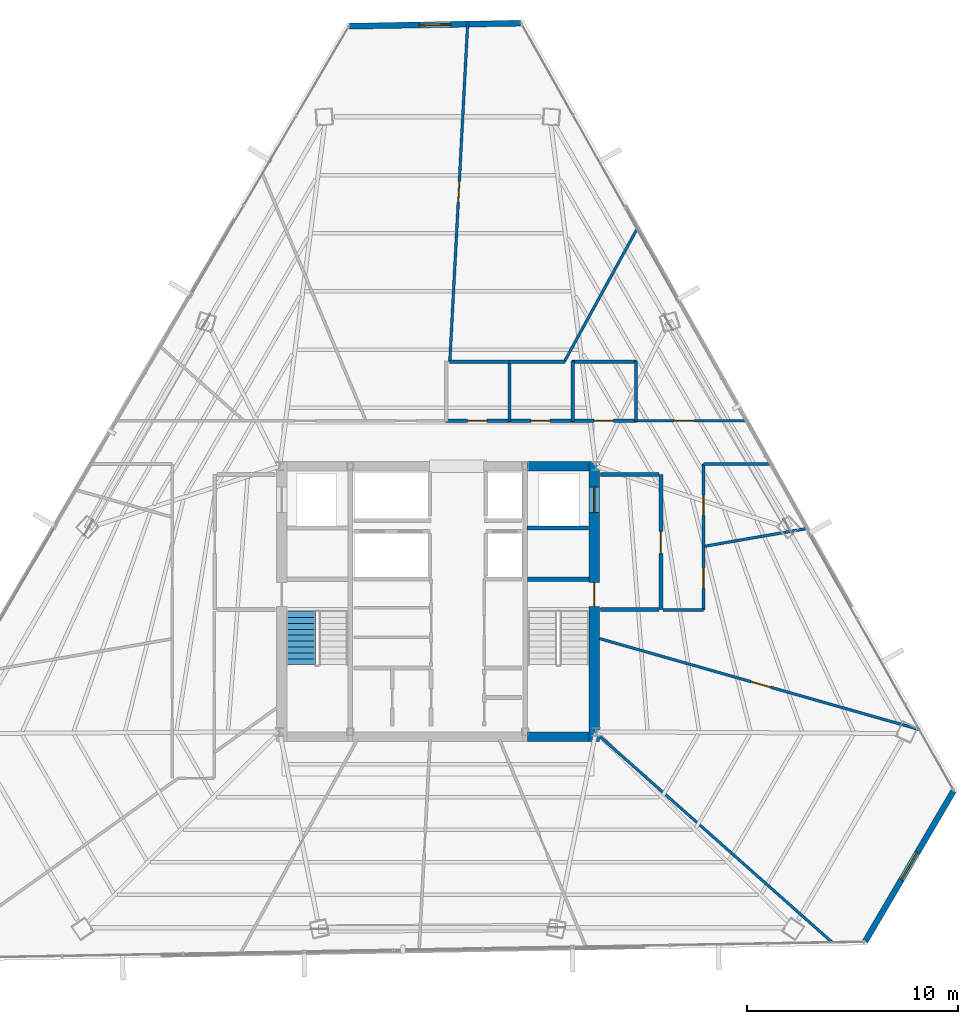
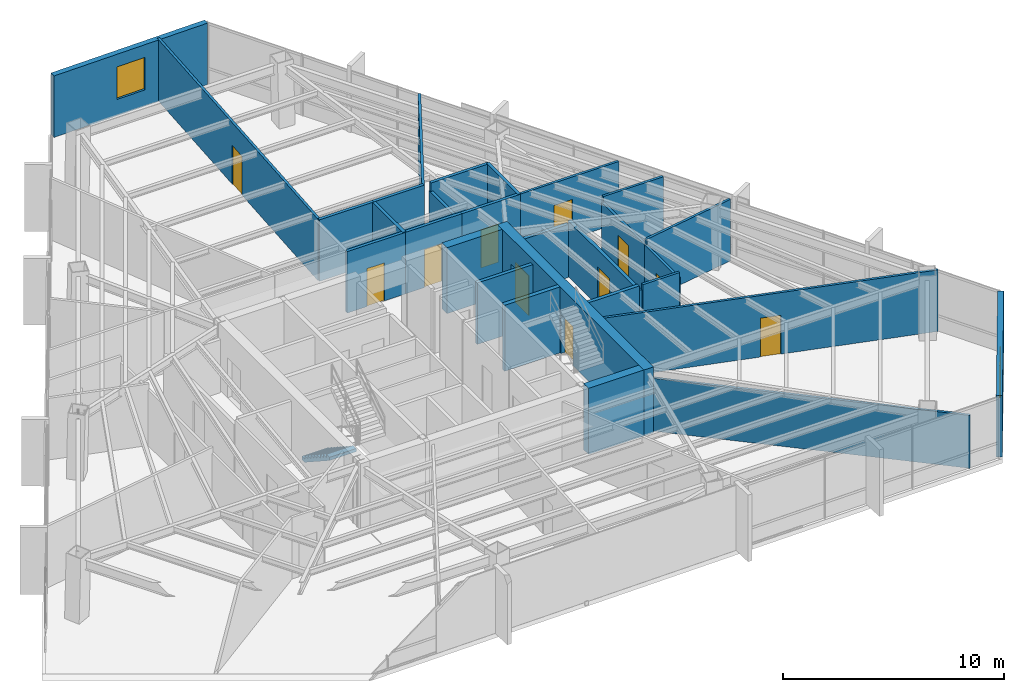
# One storey, part 37 of 42: 29 walls, 11 doors, 2 windows, 1 stair flight, 13 openings, 1 element without a shape of its own.
"""IFC4 building model written with IfcOpenShell, lengths in metres."""

from ifc_helpers import new_model, si_unit, direction, frame, frame_2d, origin, place, context, subcontext, project, spatial, polyline, rectangle, outline, extrude, material, layer, layer_set, type_object, element, fill, aggregate, save


model = new_model("IFC4")

# Units and contexts
model_context = context("Model", 3, precision=1e-05, world=origin(), true_north=direction((0.0, 1.0)))
body_context = subcontext(model_context, "Body", "Model", "MODEL_VIEW")
ifc_project = project(units=[si_unit("LENGTHUNIT", "METRE"), si_unit("AREAUNIT", "SQUARE_METRE"), si_unit("VOLUMEUNIT", "CUBIC_METRE"), si_unit("PLANEANGLEUNIT", "RADIAN"), si_unit("MASSUNIT", "GRAM", prefix="KILO")], contexts=[model_context])

# Site, building, storey
site_placement = place(None, origin())
site = spatial("IfcSite", under=ifc_project, at=site_placement, CompositionType="ELEMENT")
building_placement = place(site_placement, origin())
building = spatial("IfcBuilding", under=site, at=building_placement, Name="Caelisora Broadcast Tower", CompositionType="ELEMENT")
storey_placement = place(building_placement, frame((0.0, 0.0, 191.35009765625)))
storey = spatial("IfcBuildingStorey", under=building, at=storey_placement, Name="L50", CompositionType="ELEMENT", Elevation=191.35009765625)

# Wall, openings, doors
ifc_material_1 = material(Name="Concrete 50 MPa (AS 3600 S50)", Category="concrete")
ifc_layer_1 = layer(ifc_material_1, 0.5, Name="Concrete 50 MPa (AS 3600 S50)")
ifc_layer_set_1 = layer_set([ifc_layer_1], Name="Concrete 50 MPa (AS 3600 S50)")
wall_type_1 = type_object("IfcWallType", Name="CW2", PredefinedType="SHEAR", material=ifc_layer_set_1)
wall_1_placement = place(storey_placement, frame((45.409912109375, 16.949951171875, 0.0), z_axis=(0.0, 0.0, 1.0), x_axis=(0.0, 1.0, 0.0)))
wall_1 = element("IfcWall", 1, at=wall_1_placement, inside=storey, type_object=wall_type_1, Name="L50 core shear wall CW2", PredefinedType="SHEAR", context=body_context, shape_type="SweptSolid", body=[
    extrude(rectangle(XDim=13.275146484375, YDim=0.5, at=frame_2d((6.6376953125, 0.0))), origin(), (0.0, 0.0, 1.0), 3.64990234375),
])
opening_1_placement = place(wall_1_placement, frame((6.39990234375, 0.0, 0.0)))
opening_1 = element("IfcOpeningElement", 2, at=opening_1_placement, cuts=wall_1, Name="Opening FD04", PredefinedType="OPENING", context=body_context, shape_type="SweptSolid", body=[
    extrude(rectangle(XDim=1.1201171875, YDim=2.14990234375, at=frame_2d((0.56005859375, 1.074951171875))), frame((0.0, 0.261962890625, 0.0), z_axis=(0.0, -1.0, 0.0), x_axis=(1.0, 0.0, 0.0)), (0.0, 0.0, 1.0), 0.52392578125),
])
opening_2_placement = place(wall_1_placement, frame((10.85009765625, 0.0, 0.0)))
opening_2 = element("IfcOpeningElement", 3, at=opening_2_placement, cuts=wall_1, Name="Opening LD04", PredefinedType="OPENING", context=body_context, shape_type="SweptSolid", body=[
    extrude(rectangle(XDim=1.199951171875, YDim=2.199951171875, at=frame_2d((0.60009765625, 1.10009765625))), frame((0.0, 0.261962890625, 0.0), z_axis=(0.0, -1.0, 0.0), x_axis=(1.0, 0.0, 0.0)), (0.0, 0.0, 1.0), 0.52392578125),
])
ifc_material_2 = material(Name="Pressurised Fire-Isolated Stair Door", Category="steel")
door_type_1 = type_object("IfcDoorType", Name="FD04", OperationType="NOTDEFINED", PredefinedType="DOOR", material=ifc_material_2)
door_1_placement = place(opening_1_placement, origin())
door_1 = element("IfcDoor", 4, at=door_1_placement, inside=storey, type_object=door_type_1, Name="L50 door FD04 (L50-DR-ST2)", OperationType="SINGLE_SWING_RIGHT", OverallHeight=2.14990234375, OverallWidth=1.1201171875, PredefinedType="DOOR", context=body_context, shape_type="SweptSolid", body=[
    extrude(rectangle(XDim=1.1201171875, YDim=2.14990234375, at=frame_2d((0.56005859375, 1.074951171875))), frame((0.0, 0.02490234375, 0.0), z_axis=(0.0, -1.0, 0.0), x_axis=(1.0, 0.0, 0.0)), (0.0, 0.0, 1.0), 0.050048828125),
])
fill(opening_1, door_1)
ifc_material_3 = material(Name="Emergency Firefighting Lift Sliding Landing Door", Category="steel")
door_type_2 = type_object("IfcDoorType", Name="LD04", OperationType="NOTDEFINED", PredefinedType="DOOR", material=ifc_material_3)
door_2_placement = place(opening_2_placement, origin())
door_2 = element("IfcDoor", 5, at=door_2_placement, inside=storey, type_object=door_type_2, Name="L50 door LD04 (L50-LD-FFL2)", OperationType="SLIDING_TO_RIGHT", OverallHeight=2.199951171875, OverallWidth=1.199951171875, PredefinedType="DOOR", context=body_context, shape_type="SweptSolid", body=[
    extrude(rectangle(XDim=1.199951171875, YDim=2.199951171875, at=frame_2d((0.60009765625, 1.10009765625))), frame((0.0, 0.02490234375, 0.0), z_axis=(0.0, -1.0, 0.0), x_axis=(1.0, 0.0, 0.0)), (0.0, 0.0, 1.0), 0.050048828125),
])
fill(opening_2, door_2)

# Walls
ifc_layer_2 = layer(ifc_material_1, 0.449951171875, Name="Concrete 50 MPa (AS 3600 S50)")
ifc_layer_set_2 = layer_set([ifc_layer_2], Name="Concrete 50 MPa (AS 3600 S50)")
wall_type_2 = type_object("IfcWallType", Name="CW5", PredefinedType="SHEAR", material=ifc_layer_set_2)
for number, where, z_axis, x_axis, name in (
    (6, (42.260009765625, 17.175048828125, 0.0), (0.0, 0.0, 1.0), (1.0, 0.0, 0.0), "L50 core shear wall CW5"),
    (7, (42.260009765625, 30.0, 0.0), (0.0, 0.0, 1.0), (1.0, 0.0, 0.0), "L50 core shear wall CW5"),
):
    element("IfcWall", number, at=place(storey_placement, frame(where, z_axis=z_axis, x_axis=x_axis)), inside=storey, type_object=wall_type_2, Name=name, PredefinedType="SHEAR", context=body_context, shape_type="SweptSolid", body=[
        extrude(rectangle(XDim=2.89990234375, YDim=0.449951171875, at=frame_2d((1.449951171875, 0.0))), origin(), (0.0, 0.0, 1.0), 3.64990234375),
    ])
ifc_layer_3 = layer(ifc_material_1, 0.219970703125, Name="Concrete 50 MPa (AS 3600 S50)")
ifc_layer_set_3 = layer_set([ifc_layer_3], Name="Concrete 50 MPa (AS 3600 S50)")
wall_type_3 = type_object("IfcWallType", Name="CW7", PredefinedType="SHEAR", material=ifc_layer_set_3)
wall_2_placement = place(storey_placement, frame((42.260009765625, 24.639892578125, 0.0), z_axis=(0.0, 0.0, 1.0), x_axis=(1.0, 0.0, 0.0)))
element("IfcWall", 8, at=wall_2_placement, inside=storey, type_object=wall_type_3, Name="L50 core shear wall CW7", PredefinedType="SHEAR", context=body_context, shape_type="SweptSolid", body=[
    extrude(rectangle(XDim=2.89990234375, YDim=0.219970703125, at=frame_2d((1.449951171875, 0.0))), origin(), (0.0, 0.0, 1.0), 3.64990234375),
])

# Wall, opening, window
ifc_material_4 = material(Name="Insulated Terracotta Spandrel Wall System", Category="masonry")
ifc_layer_4 = layer(ifc_material_4, 0.280029296875, Name="Insulated Terracotta Spandrel Wall System")
ifc_layer_set_4 = layer_set([ifc_layer_4], Name="Insulated Terracotta Spandrel Wall System")
wall_type_4 = type_object("IfcWallType", Name="EW1", PredefinedType="STANDARD", material=ifc_layer_set_4)
wall_3_placement = place(storey_placement, frame((62.455810546875, 14.589111328125, 0.0), z_axis=(0.0, 0.0, 1.0), x_axis=(-0.506361533804, -0.862321284142, 0.0)))
wall_3 = element("IfcWall", 9, at=wall_3_placement, inside=storey, type_object=wall_type_4, Name="L50 exterior envelope wall EW1", PredefinedType="STANDARD", context=body_context, shape_type="SweptSolid", body=[
    extrude(rectangle(XDim=8.263916015625, YDim=0.280029296875, at=frame_2d((4.1318359375, 0.0))), origin(), (0.0, 0.0, 1.0), 3.39990234375),
])
opening_3_placement = place(wall_3_placement, frame((3.3798828125, 0.0, 0.89990234375)))
opening_3 = element("IfcOpeningElement", 10, at=opening_3_placement, cuts=wall_3, Name="Opening W02", PredefinedType="OPENING", context=body_context, shape_type="SweptSolid", body=[
    extrude(rectangle(XDim=1.5, YDim=1.800048828125, at=frame_2d((0.75, 0.89990234375))), frame((0.0, 0.152099609375, 0.0), z_axis=(0.0, -1.0, 0.0), x_axis=(1.0, 0.0, 0.0)), (0.0, 0.0, 1.0), 0.303955078125),
])
ifc_material_5 = material(Name="Double Glazed Terracotta-Framed Vision Window", Category="glass")
window_type = type_object("IfcWindowType", Name="W02", PartitioningType="SINGLE_PANEL", PredefinedType="WINDOW", material=ifc_material_5)
window_1_placement = place(opening_3_placement, origin())
window_1 = element("IfcWindow", 11, at=window_1_placement, inside=storey, type_object=window_type, Name="L50 window W02 (L50-WN-CH0)", OverallHeight=1.800048828125, OverallWidth=1.5, PartitioningType="SINGLE_PANEL", PredefinedType="WINDOW", context=body_context, shape_type="SweptSolid", body=[
    extrude(rectangle(XDim=1.5, YDim=1.800048828125, at=frame_2d((0.75, 0.89990234375))), frame((0.0, 0.030029296875, 0.0), z_axis=(0.0, -1.0, 0.0), x_axis=(1.0, 0.0, 0.0)), (0.0, 0.0, 1.0), 0.06005859375),
])
fill(opening_3, window_1)

wall_4_placement = place(storey_placement, frame((33.81591796875, 50.863525390625, 0.0), z_axis=(0.0, 0.0, 1.0), x_axis=(0.99984663234, 0.017513189274, 0.0)))
wall_4 = element("IfcWall", 12, at=wall_4_placement, inside=storey, type_object=wall_type_4, Name="L50 exterior envelope wall EW1", PredefinedType="STANDARD", context=body_context, shape_type="SweptSolid", body=[
    extrude(rectangle(XDim=8.11328125, YDim=0.280029296875, at=frame_2d((4.056640625, 0.0))), origin(), (0.0, 0.0, 1.0), 3.39990234375),
])
opening_4_placement = place(wall_4_placement, frame((3.31005859375, 0.0, 0.89990234375)))
opening_4 = element("IfcOpeningElement", 13, at=opening_4_placement, cuts=wall_4, Name="Opening W02", PredefinedType="OPENING", context=body_context, shape_type="SweptSolid", body=[
    extrude(rectangle(XDim=1.5, YDim=1.800048828125, at=frame_2d((0.75, 0.89990234375))), frame((0.0, 0.152099609375, 0.0), z_axis=(0.0, -1.0, 0.0), x_axis=(1.0, 0.0, 0.0)), (0.0, 0.0, 1.0), 0.303955078125),
])
window_2_placement = place(opening_4_placement, origin())
window_2 = element("IfcWindow", 14, at=window_2_placement, inside=storey, type_object=window_type, Name="L50 window W02 (L50-WN-CH8)", OverallHeight=1.800048828125, OverallWidth=1.5, PartitioningType="SINGLE_PANEL", PredefinedType="WINDOW", context=body_context, shape_type="SweptSolid", body=[
    extrude(rectangle(XDim=1.5, YDim=1.800048828125, at=frame_2d((0.75, 0.89990234375))), frame((0.0, 0.030029296875, 0.0), z_axis=(0.0, -1.0, 0.0), x_axis=(1.0, 0.0, 0.0)), (0.0, 0.0, 1.0), 0.06005859375),
])
fill(opening_4, window_2)

# Wall, opening, door
ifc_material_6 = material(Name="Fire-Rated Gypsum Shaft and Compartment Wall", Category="gypsum")
ifc_layer_5 = layer(ifc_material_6, 0.179931640625, Name="Fire-Rated Gypsum Shaft and Compartment Wall")
ifc_layer_set_5 = layer_set([ifc_layer_5], Name="Fire-Rated Gypsum Shaft and Compartment Wall")
wall_type_5 = type_object("IfcWallType", Name="PW2", PredefinedType="PARTITIONING", material=ifc_layer_set_5)
wall_5_placement = place(storey_placement, frame((48.580078125, 23.199951171875, 0.0), z_axis=(0.0, 0.0, 1.0), x_axis=(0.0, 1.0, 0.0)))
wall_5 = element("IfcWall", 15, at=wall_5_placement, inside=storey, type_object=wall_type_5, Name="L50 fire compartment wall PW2", PredefinedType="PARTITIONING", context=body_context, shape_type="SweptSolid", body=[
    extrude(rectangle(XDim=6.400146484375, YDim=0.179931640625, at=frame_2d((3.2001953125, 0.0))), origin(), (0.0, 0.0, 1.0), 3.07763671875),
])
opening_5_placement = place(wall_5_placement, frame((2.64990234375, 0.0, 0.0)))
opening_5 = element("IfcOpeningElement", 16, at=opening_5_placement, cuts=wall_5, Name="Opening FD02", PredefinedType="OPENING", context=body_context, shape_type="SweptSolid", body=[
    extrude(rectangle(XDim=1.050048828125, YDim=2.14990234375, at=frame_2d((0.52490234375, 1.074951171875))), frame((0.0, 0.10205078125, 0.0), z_axis=(0.0, -1.0, 0.0), x_axis=(1.0, 0.0, 0.0)), (0.0, 0.0, 1.0), 0.203857421875),
])
ifc_material_7 = material(Name="Single-Leaf Steel Fire Lobby Door", Category="steel")
door_type_3 = type_object("IfcDoorType", Name="FD02", OperationType="NOTDEFINED", PredefinedType="DOOR", material=ifc_material_7)
door_3_placement = place(opening_5_placement, origin())
door_3 = element("IfcDoor", 17, at=door_3_placement, inside=storey, type_object=door_type_3, Name="L50 door FD02 (L50-DR-P04D1)", OperationType="SINGLE_SWING_LEFT", OverallHeight=2.14990234375, OverallWidth=1.050048828125, PredefinedType="DOOR", context=body_context, shape_type="SweptSolid", body=[
    extrude(rectangle(XDim=1.050048828125, YDim=2.14990234375, at=frame_2d((0.52490234375, 1.074951171875))), frame((0.0, 0.02490234375, 0.0), z_axis=(0.0, -1.0, 0.0), x_axis=(1.0, 0.0, 0.0)), (0.0, 0.0, 1.0), 0.050048828125),
])
fill(opening_5, door_3)

# Walls
wall_6_placement = place(storey_placement, frame((45.719970703125, 23.199951171875, 0.0), z_axis=(0.0, 0.0, 1.0), x_axis=(1.0, 0.0, 0.0)))
element("IfcWall", 18, at=wall_6_placement, inside=storey, type_object=wall_type_5, Name="L50 fire compartment wall PW2", PredefinedType="PARTITIONING", context=body_context, shape_type="SweptSolid", body=[
    extrude(rectangle(XDim=2.760009765625, YDim=0.179931640625, at=frame_2d((1.3798828125, 0.0))), origin(), (0.0, 0.0, 1.0), 3.39990234375),
])
wall_7_placement = place(storey_placement, frame((45.719970703125, 29.60009765625, 0.0), z_axis=(0.0, 0.0, 1.0), x_axis=(1.0, 0.0, 0.0)))
element("IfcWall", 19, at=wall_7_placement, inside=storey, type_object=wall_type_5, Name="L50 fire compartment wall PW2", PredefinedType="PARTITIONING", context=body_context, shape_type="SweptSolid", body=[
    extrude(rectangle(XDim=2.760009765625, YDim=0.179931640625, at=frame_2d((1.3798828125, 0.0))), origin(), (0.0, 0.0, 1.0), 2.924560546875),
])
wall_8_placement = place(storey_placement, frame((42.239990234375, 27.070068359375, 0.0), z_axis=(0.0, 0.0, 1.0), x_axis=(1.0, 0.0, 0.0)))
element("IfcWall", 20, at=wall_8_placement, inside=storey, type_object=wall_type_5, Name="L50 fire compartment wall PW2", PredefinedType="PARTITIONING", context=body_context, shape_type="SweptSolid", body=[
    extrude(rectangle(XDim=2.89990234375, YDim=0.179931640625, at=frame_2d((1.449951171875, 0.0))), origin(), (0.0, 0.0, 1.0), 3.39990234375),
])

# Wall, opening, door
ifc_material_8 = material(Name="Acoustic Steel-Stud Plasterboard Partition", Category="gypsum")
ifc_layer_6 = layer(ifc_material_8, 0.1298828125, Name="Acoustic Steel-Stud Plasterboard Partition")
ifc_layer_set_6 = layer_set([ifc_layer_6], Name="Acoustic Steel-Stud Plasterboard Partition")
wall_type_6 = type_object("IfcWallType", Name="PW3", PredefinedType="PARTITIONING", material=ifc_layer_set_6)
wall_9_placement = place(storey_placement, frame((38.570068359375, 34.955078125, 0.0), z_axis=(0.0, 0.0, 1.0), x_axis=(0.052698688667, 0.998610458694, 0.0)))
wall_9 = element("IfcWall", 21, at=wall_9_placement, inside=storey, type_object=wall_type_6, Name="L50 internal partition PW3", PredefinedType="PARTITIONING", context=body_context, shape_type="SweptSolid", body=[
    extrude(rectangle(XDim=16.033935546875, YDim=0.1298828125, at=frame_2d((8.01708984375, 0.0))), origin(), (0.0, 0.0, 1.0), 3.39990234375),
])
opening_6_placement = place(wall_9_placement, frame((7.583984375, 0.0, 0.0)))
opening_6 = element("IfcOpeningElement", 22, at=opening_6_placement, cuts=wall_9, Name="Opening D01", PredefinedType="OPENING", context=body_context, shape_type="SweptSolid", body=[
    extrude(rectangle(XDim=0.9599609375, YDim=2.14990234375, at=frame_2d((0.47998046875, 1.074951171875))), frame((0.0, 0.076904296875, 0.0), z_axis=(0.0, -1.0, 0.0), x_axis=(1.0, 0.0, 0.0)), (0.0, 0.0, 1.0), 0.15380859375),
])
ifc_material_9 = material(Name="Solid-Core Timber Acoustic Office Door", Category="wood")
door_type_4 = type_object("IfcDoorType", Name="D01", OperationType="NOTDEFINED", PredefinedType="DOOR", material=ifc_material_9)
door_4_placement = place(opening_6_placement, origin())
door_4 = element("IfcDoor", 23, at=door_4_placement, inside=storey, type_object=door_type_4, Name="L50 door D01 (L50-DR-P29D1)", OperationType="SINGLE_SWING_LEFT", OverallHeight=2.14990234375, OverallWidth=0.9599609375, PredefinedType="DOOR", context=body_context, shape_type="SweptSolid", body=[
    extrude(rectangle(XDim=0.9599609375, YDim=2.14990234375, at=frame_2d((0.47998046875, 1.074951171875))), frame((0.0, 0.02490234375, 0.0), z_axis=(0.0, -1.0, 0.0), x_axis=(1.0, 0.0, 0.0)), (0.0, 0.0, 1.0), 0.050048828125),
])
fill(opening_6, door_4)

wall_10_placement = place(storey_placement, frame((45.672119140625, 21.819091796875, 0.0), z_axis=(0.0, 0.0, 1.0), x_axis=(0.961885741186, -0.273451679282, 0.0)))
wall_10 = element("IfcWall", 24, at=wall_10_placement, inside=storey, type_object=wall_type_6, Name="L50 internal partition PW3", PredefinedType="PARTITIONING", context=body_context, shape_type="SweptSolid", body=[
    extrude(rectangle(XDim=15.77685546875, YDim=0.1298828125, at=frame_2d((7.888427734375, 0.0))), origin(), (0.0, 0.0, 1.0), 3.39990234375),
])
opening_7_placement = place(wall_10_placement, frame((7.471923828125, 0.0, 0.0)))
opening_7 = element("IfcOpeningElement", 25, at=opening_7_placement, cuts=wall_10, Name="Opening D01", PredefinedType="OPENING", context=body_context, shape_type="SweptSolid", body=[
    extrude(rectangle(XDim=0.9599609375, YDim=2.14990234375, at=frame_2d((0.47998046875, 1.074951171875))), frame((0.0, 0.076904296875, 0.0), z_axis=(0.0, -1.0, 0.0), x_axis=(1.0, 0.0, 0.0)), (0.0, 0.0, 1.0), 0.15380859375),
])
door_5_placement = place(opening_7_placement, origin())
door_5 = element("IfcDoor", 26, at=door_5_placement, inside=storey, type_object=door_type_4, Name="L50 door D01 (L50-DR-P30D1)", OperationType="SINGLE_SWING_RIGHT", OverallHeight=2.14990234375, OverallWidth=0.9599609375, PredefinedType="DOOR", context=body_context, shape_type="SweptSolid", body=[
    extrude(rectangle(XDim=0.9599609375, YDim=2.14990234375, at=frame_2d((0.47998046875, 1.074951171875))), frame((0.0, 0.02490234375, 0.0), z_axis=(0.0, -1.0, 0.0), x_axis=(1.0, 0.0, 0.0)), (0.0, 0.0, 1.0), 0.050048828125),
])
fill(opening_7, door_5)

# Walls
wall_11_placement = place(storey_placement, frame((45.656005859375, 17.2099609375, 0.0), z_axis=(0.0, 0.0, 1.0), x_axis=(0.748196325474, -0.663477398671, 0.0)))
element("IfcWall", 27, at=wall_11_placement, inside=storey, type_object=wall_type_6, Name="L50 internal partition PW3", PredefinedType="PARTITIONING", context=body_context, shape_type="SweptSolid", body=[
    extrude(rectangle(XDim=14.77783203125, YDim=0.1298828125, at=frame_2d((7.388916015625, 0.0))), origin(), (0.0, 0.0, 1.0), 2.924560546875),
])
wall_12_placement = place(storey_placement, frame((44.001953125, 34.9541015625, 0.0), z_axis=(0.0, 0.0, 1.0), x_axis=(0.480304674365, 0.877101715757, 0.0)))
element("IfcWall", 28, at=wall_12_placement, inside=storey, type_object=wall_type_6, Name="L50 internal partition PW3", PredefinedType="PARTITIONING", context=body_context, shape_type="SweptSolid", body=[
    extrude(rectangle(XDim=7.19189453125, YDim=0.1298828125, at=frame_2d((3.595947265625, 0.0))), origin(), (0.0, 0.0, 1.0), 3.39990234375),
])

# Wall, opening, door
wall_13_placement = place(storey_placement, frame((47.405029296875, 32.14990234375, 0.0), z_axis=(0.0, 0.0, 1.0), x_axis=(1.0, 0.0, 0.0)))
wall_13 = element("IfcWall", 29, at=wall_13_placement, inside=storey, type_object=wall_type_6, Name="L50 internal partition PW3", PredefinedType="PARTITIONING", context=body_context, shape_type="SweptSolid", body=[
    extrude(rectangle(XDim=5.1875, YDim=0.1298828125, at=frame_2d((2.59375, 0.0))), origin(), (0.0, 0.0, 1.0), 3.39990234375),
])
opening_8_placement = place(wall_13_placement, frame((1.800048828125, 0.0, 0.0)))
opening_8 = element("IfcOpeningElement", 30, at=opening_8_placement, cuts=wall_13, Name="Opening D01", PredefinedType="OPENING", context=body_context, shape_type="SweptSolid", body=[
    extrude(rectangle(XDim=0.9599609375, YDim=2.14990234375, at=frame_2d((0.47998046875, 1.074951171875))), frame((0.0, 0.076904296875, 0.0), z_axis=(0.0, -1.0, 0.0), x_axis=(1.0, 0.0, 0.0)), (0.0, 0.0, 1.0), 0.15380859375),
])
door_6_placement = place(opening_8_placement, origin())
door_6 = element("IfcDoor", 31, at=door_6_placement, inside=storey, type_object=door_type_4, Name="L50 door D01 (L50-DR-P47D1)", OperationType="SINGLE_SWING_RIGHT", OverallHeight=2.14990234375, OverallWidth=0.9599609375, PredefinedType="DOOR", context=body_context, shape_type="SweptSolid", body=[
    extrude(rectangle(XDim=0.9599609375, YDim=2.14990234375, at=frame_2d((0.47998046875, 1.074951171875))), frame((0.0, 0.02490234375, 0.0), z_axis=(0.0, -1.0, 0.0), x_axis=(1.0, 0.0, 0.0)), (0.0, 0.0, 1.0), 0.050048828125),
])
fill(opening_8, door_6)

# Wall
wall_14_placement = place(storey_placement, frame((50.60498046875, 26.19091796875, 0.0), z_axis=(0.0, 0.0, 1.0), x_axis=(0.985362153608, 0.170474121899, 0.0)))
element("IfcWall", 32, at=wall_14_placement, inside=storey, type_object=wall_type_6, Name="L50 internal partition PW3", PredefinedType="PARTITIONING", context=body_context, shape_type="SweptSolid", body=[
    extrude(rectangle(XDim=4.943603515625, YDim=0.1298828125, at=frame_2d((2.4716796875, 0.0))), origin(), (0.0, 0.0, 1.0), 3.39990234375),
])

# Wall, opening, door
wall_15_placement = place(storey_placement, frame((50.60009765625, 26.195068359375, 0.0), z_axis=(0.0, 0.0, 1.0), x_axis=(0.0, 1.0, 0.0)))
wall_15 = element("IfcWall", 33, at=wall_15_placement, inside=storey, type_object=wall_type_6, Name="L50 internal partition PW3", PredefinedType="PARTITIONING", context=body_context, shape_type="SweptSolid", body=[
    extrude(rectangle(XDim=3.89990234375, YDim=0.1298828125, at=frame_2d((1.949951171875, 0.0))), origin(), (0.0, 0.0, 1.0), 3.07763671875),
])
opening_9_placement = place(wall_15_placement, frame((1.469970703125, 0.0, 0.0)))
opening_9 = element("IfcOpeningElement", 34, at=opening_9_placement, cuts=wall_15, Name="Opening D01", PredefinedType="OPENING", context=body_context, shape_type="SweptSolid", body=[
    extrude(rectangle(XDim=0.9599609375, YDim=2.14990234375, at=frame_2d((0.47998046875, 1.074951171875))), frame((0.0, 0.076904296875, 0.0), z_axis=(0.0, -1.0, 0.0), x_axis=(1.0, 0.0, 0.0)), (0.0, 0.0, 1.0), 0.15380859375),
])
door_7_placement = place(opening_9_placement, origin())
door_7 = element("IfcDoor", 35, at=door_7_placement, inside=storey, type_object=door_type_4, Name="L50 door D01 (L50-DR-P51D1)", OperationType="SINGLE_SWING_LEFT", OverallHeight=2.14990234375, OverallWidth=0.9599609375, PredefinedType="DOOR", context=body_context, shape_type="SweptSolid", body=[
    extrude(rectangle(XDim=0.9599609375, YDim=2.14990234375, at=frame_2d((0.47998046875, 1.074951171875))), frame((0.0, 0.02490234375, 0.0), z_axis=(0.0, -1.0, 0.0), x_axis=(1.0, 0.0, 0.0)), (0.0, 0.0, 1.0), 0.050048828125),
])
fill(opening_9, door_7)

# Wall
wall_16_placement = place(storey_placement, frame((50.60498046875, 30.10009765625, 0.0), z_axis=(0.0, 0.0, 1.0), x_axis=(1.0, 0.0, 0.0)))
element("IfcWall", 36, at=wall_16_placement, inside=storey, type_object=wall_type_6, Name="L50 internal partition PW3", PredefinedType="PARTITIONING", context=body_context, shape_type="SweptSolid", body=[
    extrude(rectangle(XDim=3.14306640625, YDim=0.1298828125, at=frame_2d((1.571533203125, 0.0))), origin(), (0.0, 0.0, 1.0), 3.39990234375),
])

# Wall, opening, door
wall_17_placement = place(storey_placement, frame((50.60009765625, 23.18505859375, 0.0), z_axis=(0.0, 0.0, 1.0), x_axis=(0.0, 1.0, 0.0)))
wall_17 = element("IfcWall", 37, at=wall_17_placement, inside=storey, type_object=wall_type_6, Name="L50 internal partition PW3", PredefinedType="PARTITIONING", context=body_context, shape_type="SweptSolid", body=[
    extrude(rectangle(XDim=3.0, YDim=0.1298828125, at=frame_2d((1.5, 0.0))), origin(), (0.0, 0.0, 1.0), 3.07763671875),
])
opening_10_placement = place(wall_17_placement, frame((1.02001953125, 0.0, 0.0)))
opening_10 = element("IfcOpeningElement", 38, at=opening_10_placement, cuts=wall_17, Name="Opening D01", PredefinedType="OPENING", context=body_context, shape_type="SweptSolid", body=[
    extrude(rectangle(XDim=0.9599609375, YDim=2.14990234375, at=frame_2d((0.47998046875, 1.074951171875))), frame((0.0, 0.076904296875, 0.0), z_axis=(0.0, -1.0, 0.0), x_axis=(1.0, 0.0, 0.0)), (0.0, 0.0, 1.0), 0.15380859375),
])
door_8_placement = place(opening_10_placement, origin())
door_8 = element("IfcDoor", 39, at=door_8_placement, inside=storey, type_object=door_type_4, Name="L50 door D01 (L50-DR-P55D1)", OperationType="SINGLE_SWING_LEFT", OverallHeight=2.14990234375, OverallWidth=0.9599609375, PredefinedType="DOOR", context=body_context, shape_type="SweptSolid", body=[
    extrude(rectangle(XDim=0.9599609375, YDim=2.14990234375, at=frame_2d((0.47998046875, 1.074951171875))), frame((0.0, 0.02490234375, 0.0), z_axis=(0.0, -1.0, 0.0), x_axis=(1.0, 0.0, 0.0)), (0.0, 0.0, 1.0), 0.050048828125),
])
fill(opening_10, door_8)

# Wall
wall_18_placement = place(storey_placement, frame((48.675048828125, 23.179931640625, 0.0), z_axis=(0.0, 0.0, 1.0), x_axis=(1.0, 0.0, 0.0)))
element("IfcWall", 40, at=wall_18_placement, inside=storey, type_object=wall_type_6, Name="L50 internal partition PW3", PredefinedType="PARTITIONING", context=body_context, shape_type="SweptSolid", body=[
    extrude(rectangle(XDim=1.919921875, YDim=0.1298828125, at=frame_2d((0.9599609375, 0.0))), origin(), (0.0, 0.0, 1.0), 3.39990234375),
])

# Wall, opening, door
ifc_material_10 = material(Name="Moisture-Resistant Wet Plumbing Service Wall", Category="gypsum")
ifc_layer_7 = layer(ifc_material_10, 0.159912109375, Name="Moisture-Resistant Wet Plumbing Service Wall")
ifc_layer_set_7 = layer_set([ifc_layer_7], Name="Moisture-Resistant Wet Plumbing Service Wall")
wall_type_7 = type_object("IfcWallType", Name="PW4", PredefinedType="PLUMBINGWALL", material=ifc_layer_set_7)
wall_19_placement = place(storey_placement, frame((38.375, 32.14990234375, 0.0), z_axis=(0.0, 0.0, 1.0), x_axis=(1.0, 0.0, 0.0)))
wall_19 = element("IfcWall", 41, at=wall_19_placement, inside=storey, type_object=wall_type_7, Name="L50 wet plumbing wall PW4", PredefinedType="PLUMBINGWALL", context=body_context, shape_type="SweptSolid", body=[
    extrude(rectangle(XDim=3.050048828125, YDim=0.159912109375, at=frame_2d((1.52490234375, 0.0))), origin(), (0.0, 0.0, 1.0), 3.39990234375),
])
opening_11_placement = place(wall_19_placement, frame((1.034912109375, 0.0, 0.0)))
opening_11 = element("IfcOpeningElement", 42, at=opening_11_placement, cuts=wall_19, Name="Opening D03", PredefinedType="OPENING", context=body_context, shape_type="SweptSolid", body=[
    extrude(rectangle(XDim=0.919921875, YDim=2.10009765625, at=frame_2d((0.4599609375, 1.050048828125))), frame((0.0, 0.092041015625, 0.0), z_axis=(0.0, -1.0, 0.0), x_axis=(1.0, 0.0, 0.0)), (0.0, 0.0, 1.0), 0.183837890625),
])
ifc_material_11 = material(Name="Laminate Moisture-Resistant Amenity WC Door", Category="wood")
door_type_5 = type_object("IfcDoorType", Name="D03", OperationType="NOTDEFINED", PredefinedType="DOOR", material=ifc_material_11)
door_9_placement = place(opening_11_placement, origin())
door_9 = element("IfcDoor", 43, at=door_9_placement, inside=storey, type_object=door_type_5, Name="L50 door D03 (L50-DR-P19D1)", OperationType="SINGLE_SWING_RIGHT", OverallHeight=2.10009765625, OverallWidth=0.919921875, PredefinedType="DOOR", context=body_context, shape_type="SweptSolid", body=[
    extrude(rectangle(XDim=0.919921875, YDim=2.10009765625, at=frame_2d((0.4599609375, 1.050048828125))), frame((0.0, 0.02490234375, 0.0), z_axis=(0.0, -1.0, 0.0), x_axis=(1.0, 0.0, 0.0)), (0.0, 0.0, 1.0), 0.050048828125),
])
fill(opening_11, door_9)

wall_20_placement = place(storey_placement, frame((41.375, 32.14990234375, 0.0), z_axis=(0.0, 0.0, 1.0), x_axis=(1.0, 0.0, 0.0)))
wall_20 = element("IfcWall", 44, at=wall_20_placement, inside=storey, type_object=wall_type_7, Name="L50 wet plumbing wall PW4", PredefinedType="PLUMBINGWALL", context=body_context, shape_type="SweptSolid", body=[
    extrude(rectangle(XDim=3.050048828125, YDim=0.159912109375, at=frame_2d((1.52490234375, 0.0))), origin(), (0.0, 0.0, 1.0), 3.39990234375),
])
opening_12_placement = place(wall_20_placement, frame((1.034912109375, 0.0, 0.0)))
opening_12 = element("IfcOpeningElement", 45, at=opening_12_placement, cuts=wall_20, Name="Opening D03", PredefinedType="OPENING", context=body_context, shape_type="SweptSolid", body=[
    extrude(rectangle(XDim=0.919921875, YDim=2.10009765625, at=frame_2d((0.4599609375, 1.050048828125))), frame((0.0, 0.092041015625, 0.0), z_axis=(0.0, -1.0, 0.0), x_axis=(1.0, 0.0, 0.0)), (0.0, 0.0, 1.0), 0.183837890625),
])
door_10_placement = place(opening_12_placement, origin())
door_10 = element("IfcDoor", 46, at=door_10_placement, inside=storey, type_object=door_type_5, Name="L50 door D03 (L50-DR-P20D1)", OperationType="SINGLE_SWING_LEFT", OverallHeight=2.10009765625, OverallWidth=0.919921875, PredefinedType="DOOR", context=body_context, shape_type="SweptSolid", body=[
    extrude(rectangle(XDim=0.919921875, YDim=2.10009765625, at=frame_2d((0.4599609375, 1.050048828125))), frame((0.0, 0.02490234375, 0.0), z_axis=(0.0, -1.0, 0.0), x_axis=(1.0, 0.0, 0.0)), (0.0, 0.0, 1.0), 0.050048828125),
])
fill(opening_12, door_10)

wall_21_placement = place(storey_placement, frame((44.375, 32.14990234375, 0.0), z_axis=(0.0, 0.0, 1.0), x_axis=(1.0, 0.0, 0.0)))
wall_21 = element("IfcWall", 47, at=wall_21_placement, inside=storey, type_object=wall_type_7, Name="L50 wet plumbing wall PW4", PredefinedType="PLUMBINGWALL", context=body_context, shape_type="SweptSolid", body=[
    extrude(rectangle(XDim=3.050048828125, YDim=0.159912109375, at=frame_2d((1.52490234375, 0.0))), origin(), (0.0, 0.0, 1.0), 3.39990234375),
])
opening_13_placement = place(wall_21_placement, frame((1.034912109375, 0.0, 0.0)))
opening_13 = element("IfcOpeningElement", 48, at=opening_13_placement, cuts=wall_21, Name="Opening D03", PredefinedType="OPENING", context=body_context, shape_type="SweptSolid", body=[
    extrude(rectangle(XDim=0.919921875, YDim=2.10009765625, at=frame_2d((0.4599609375, 1.050048828125))), frame((0.0, 0.092041015625, 0.0), z_axis=(0.0, -1.0, 0.0), x_axis=(1.0, 0.0, 0.0)), (0.0, 0.0, 1.0), 0.183837890625),
])
door_11_placement = place(opening_13_placement, origin())
door_11 = element("IfcDoor", 49, at=door_11_placement, inside=storey, type_object=door_type_5, Name="L50 door D03 (L50-DR-P21D1)", OperationType="SINGLE_SWING_RIGHT", OverallHeight=2.10009765625, OverallWidth=0.919921875, PredefinedType="DOOR", context=body_context, shape_type="SweptSolid", body=[
    extrude(rectangle(XDim=0.919921875, YDim=2.10009765625, at=frame_2d((0.4599609375, 1.050048828125))), frame((0.0, 0.02490234375, 0.0), z_axis=(0.0, -1.0, 0.0), x_axis=(1.0, 0.0, 0.0)), (0.0, 0.0, 1.0), 0.050048828125),
])
fill(opening_13, door_11)

# Walls
wall_22_placement = place(storey_placement, frame((47.425048828125, 34.949951171875, 0.0), z_axis=(0.0, 0.0, 1.0), x_axis=(-1.0, 0.0, 0.0)))
element("IfcWall", 50, at=wall_22_placement, inside=storey, type_object=wall_type_7, Name="L50 wet plumbing wall PW4", PredefinedType="PLUMBINGWALL", context=body_context, shape_type="SweptSolid", body=[
    extrude(rectangle(XDim=3.050048828125, YDim=0.159912109375, at=frame_2d((1.52490234375, 0.0))), origin(), (0.0, 0.0, 1.0), 3.39990234375),
])
wall_23_placement = place(storey_placement, frame((38.544921875, 34.949951171875, 0.0), z_axis=(0.0, 0.0, 1.0), x_axis=(1.0, 0.0, 0.0)))
element("IfcWall", 51, at=wall_23_placement, inside=storey, type_object=wall_type_7, Name="L50 wet plumbing wall PW4", PredefinedType="PLUMBINGWALL", context=body_context, shape_type="SweptSolid", body=[
    extrude(rectangle(XDim=2.880126953125, YDim=0.159912109375, at=frame_2d((1.43994140625, 0.0))), origin(), (0.0, 0.0, 1.0), 3.39990234375),
])
wall_24_placement = place(storey_placement, frame((41.39990234375, 32.125, 0.0), z_axis=(0.0, 0.0, 1.0), x_axis=(0.0, 1.0, 0.0)))
element("IfcWall", 52, at=wall_24_placement, inside=storey, type_object=wall_type_7, Name="L50 wet plumbing wall PW4", PredefinedType="PLUMBINGWALL", context=body_context, shape_type="SweptSolid", body=[
    extrude(rectangle(XDim=2.85009765625, YDim=0.159912109375, at=frame_2d((1.425048828125, 0.0))), origin(), (0.0, 0.0, 1.0), 3.39990234375),
])
wall_25_placement = place(storey_placement, frame((44.39990234375, 32.125, 0.0), z_axis=(0.0, 0.0, 1.0), x_axis=(0.0, 1.0, 0.0)))
element("IfcWall", 53, at=wall_25_placement, inside=storey, type_object=wall_type_7, Name="L50 wet plumbing wall PW4", PredefinedType="PLUMBINGWALL", context=body_context, shape_type="SweptSolid", body=[
    extrude(rectangle(XDim=2.85009765625, YDim=0.159912109375, at=frame_2d((1.425048828125, 0.0))), origin(), (0.0, 0.0, 1.0), 2.924560546875),
])
wall_26_placement = place(storey_placement, frame((47.39990234375, 32.125, 0.0), z_axis=(0.0, 0.0, 1.0), x_axis=(0.0, 1.0, 0.0)))
element("IfcWall", 54, at=wall_26_placement, inside=storey, type_object=wall_type_7, Name="L50 wet plumbing wall PW4", PredefinedType="PLUMBINGWALL", context=body_context, shape_type="SweptSolid", body=[
    extrude(rectangle(XDim=2.85009765625, YDim=0.159912109375, at=frame_2d((1.425048828125, 0.0))), origin(), (0.0, 0.0, 1.0), 3.39990234375),
])
wall_27_placement = place(storey_placement, frame((41.375, 34.949951171875, 0.0), z_axis=(0.0, 0.0, 1.0), x_axis=(1.0, 0.0, 0.0)))
element("IfcWall", 55, at=wall_27_placement, inside=storey, type_object=wall_type_7, Name="L50 wet plumbing wall PW4", PredefinedType="PLUMBINGWALL", context=body_context, shape_type="SweptSolid", body=[
    extrude(rectangle(XDim=2.64990234375, YDim=0.159912109375, at=frame_2d((1.324951171875, 0.0))), origin(), (0.0, 0.0, 1.0), 3.39990234375),
])

# Stair, stair flight
ifc_material_12 = material(Name="Concrete 40 MPa (AS 3600 N40)", Category="concrete")
stair_type = type_object("IfcStairType", Name="ST-1", PredefinedType="HALF_TURN_STAIR", material=ifc_material_12)
stair_placement = place(storey_placement, origin())
stair = element("IfcStair", 56, at=stair_placement, inside=storey, type_object=stair_type, Name="L50 West Fire-Isolated Tower Stair", PredefinedType="HALF_TURN_STAIR")
stair_flight_type = type_object("IfcStairFlightType", Name="STF-3", PredefinedType="STRAIGHT", material=ifc_material_12)
stair_flight_placement = place(storey_placement, frame((31.52001953125, 23.10009765625, 0.0), z_axis=(0.0, 0.0, 1.0), x_axis=(0.0, -1.0, 0.0)))
stair_flight = element("IfcStairFlight", 57, at=stair_flight_placement, type_object=stair_flight_type, Name="ST-1 flight 1", NumberOfRisers=10, NumberOfTreads=9, PredefinedType="STRAIGHT", RiserHeight=0.1825, TreadLength=0.28, context=body_context, shape_type="SweptSolid", body=[
    extrude(outline(polyline([(0.0, 0.0), (0.0, 0.1826171875), (0.280029296875, 0.1826171875), (0.280029296875, 0.364990234375), (0.56005859375, 0.364990234375), (0.56005859375, 0.547607421875), (0.840087890625, 0.547607421875), (0.840087890625, 0.72998046875), (1.1201171875, 0.72998046875), (1.1201171875, 0.91259765625), (1.39990234375, 0.91259765625), (1.39990234375, 1.094970703125), (1.679931640625, 1.094970703125), (1.679931640625, 1.277587890625), (1.9599609375, 1.277587890625), (1.9599609375, 1.4599609375), (2.239990234375, 1.4599609375), (2.239990234375, 1.642578125), (2.52001953125, 1.642578125), (2.52001953125, 1.824951171875), (2.52001953125, 1.463623046875), (0.2744140625, 0.0), (0.0, 0.0)])), frame((0.0, 0.699951171875, 0.0), z_axis=(0.0, -1.0, 0.0), x_axis=(1.0, 0.0, 0.0)), (0.0, 0.0, 1.0), 1.39990234375),
])
aggregate(stair, [stair_flight])

save(model, "model.ifc")
